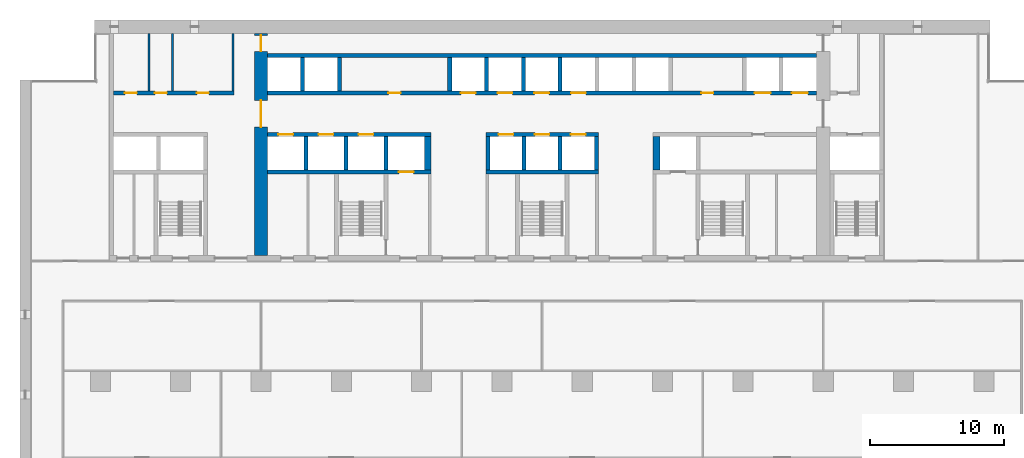
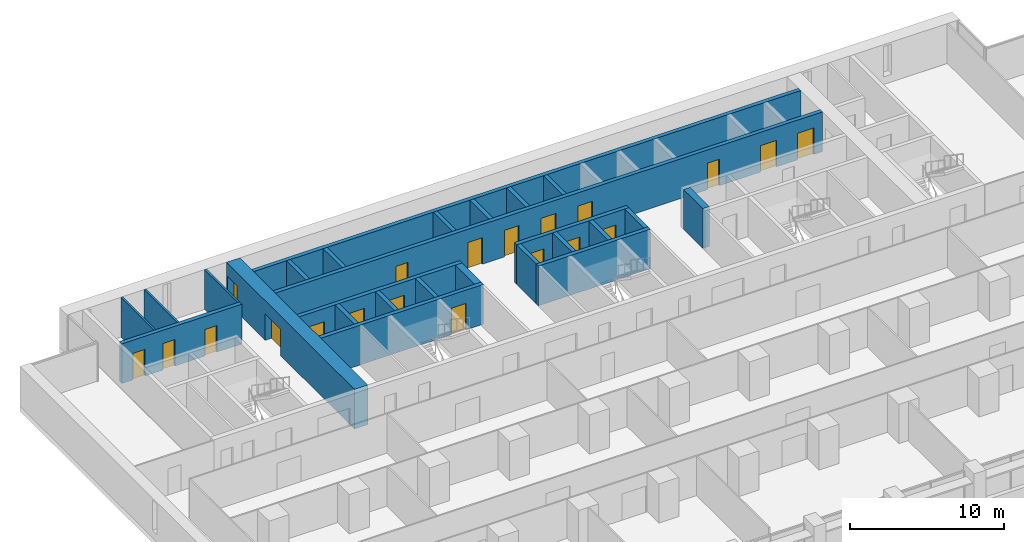
# One storey, part 11 of 18: 26 walls, 20 doors, 20 openings.
"""IFC4 building model written with IfcOpenShell, lengths in metres."""

from ifc_helpers import new_model, si_unit, direction, frame, frame_2d, origin, place, context, subcontext, project, spatial, rectangle, extrude, material, layer, layer_set, type_object, element, fill, save


model = new_model("IFC4")

# Units and contexts
model_context = context("Model", 3, precision=1e-05, world=origin(), true_north=direction((0.0, 1.0)))
body_context = subcontext(model_context, "Body", "Model", "MODEL_VIEW")
ifc_project = project(units=[si_unit("LENGTHUNIT", "METRE"), si_unit("AREAUNIT", "SQUARE_METRE"), si_unit("VOLUMEUNIT", "CUBIC_METRE"), si_unit("PLANEANGLEUNIT", "RADIAN"), si_unit("MASSUNIT", "GRAM", prefix="KILO")], contexts=[model_context])

# Site, building, storey
site_placement = place(None, origin())
site = spatial("IfcSite", under=ifc_project, at=site_placement, CompositionType="ELEMENT")
building_placement = place(site_placement, origin())
building = spatial("IfcBuilding", under=site, at=building_placement, Name="Calvaro Tower", CompositionType="ELEMENT")
storey_placement = place(building_placement, frame((0.0, 0.0, 86.25)))
storey = spatial("IfcBuildingStorey", under=building, at=storey_placement, Name="L21", CompositionType="ELEMENT", Elevation=86.25)

# Walls
ifc_material_1 = material(Name="Blockwork partition", Category="masonry")
ifc_layer_1 = layer(ifc_material_1, 0.14990234375)
ifc_layer_set_1 = layer_set([ifc_layer_1], Name="Blockwork partition")
wall_type_1 = type_object("IfcWallType", Name="Core partition 150 EI 60", PredefinedType="PARTITIONING", material=ifc_layer_set_1)
for number, where, z_axis, x_axis, name in (
    (1, (9.64990234375, 40.699951171875, 0.0), (0.0, 0.0, 1.0), (0.0, 1.0, 0.0), "Core partition"),
    (2, (11.39990234375, 40.699951171875, 0.0), (0.0, 0.0, 1.0), (0.0, 1.0, 0.0), "Core partition"),
):
    element("IfcWall", number, at=place(storey_placement, frame(where, z_axis=z_axis, x_axis=x_axis)), inside=storey, type_object=wall_type_1, Name=name, PredefinedType="PARTITIONING", context=body_context, shape_type="SweptSolid", body=[
        extrude(rectangle(XDim=4.300048828125, YDim=0.14990234375, at=frame_2d((2.14990234375, 0.0))), origin(), (0.0, 0.0, 1.0), 3.14990234375),
    ])
ifc_material_2 = material(Name="Blockwork partition", Category="masonry")
ifc_layer_2 = layer(ifc_material_2, 0.14990234375)
ifc_layer_set_2 = layer_set([ifc_layer_2], Name="Blockwork partition")
wall_type_2 = type_object("IfcWallType", Name="Core partition 150 REI 120", PredefinedType="PARTITIONING", material=ifc_layer_set_2)
wall_1_placement = place(storey_placement, frame((15.925048828125, 40.699951171875, 0.0), z_axis=(0.0, 0.0, 1.0), x_axis=(0.0, 1.0, 0.0)))
element("IfcWall", 3, at=wall_1_placement, inside=storey, type_object=wall_type_2, Name="Core partition", PredefinedType="PARTITIONING", context=body_context, shape_type="SweptSolid", body=[
    extrude(rectangle(XDim=4.300048828125, YDim=0.14990234375, at=frame_2d((2.14990234375, 0.0))), origin(), (0.0, 0.0, 1.0), 3.14990234375),
])

# Wall, openings, doors
ifc_material_3 = material(Name="Blockwork partition", Category="masonry")
ifc_layer_3 = layer(ifc_material_3, 0.300048828125)
ifc_layer_set_3 = layer_set([ifc_layer_3], Name="Blockwork partition")
wall_type_3 = type_object("IfcWallType", Name="Core partition 300 REI 120", PredefinedType="PARTITIONING", material=ifc_layer_set_3)
wall_2_placement = place(storey_placement, frame((7.0, 40.550048828125, 0.0), z_axis=(0.0, 0.0, 1.0), x_axis=(1.0, 0.0, 0.0)))
wall_2 = element("IfcWall", 4, at=wall_2_placement, inside=storey, type_object=wall_type_3, Name="Core partition", PredefinedType="PARTITIONING", context=body_context, shape_type="SweptSolid", body=[
    extrude(rectangle(XDim=9.0, YDim=0.300048828125, at=frame_2d((4.5, 0.0))), origin(), (0.0, 0.0, 1.0), 3.14990234375),
])
opening_1_placement = place(wall_2_placement, frame((0.83740234375, 0.0, 0.0)))
opening_1 = element("IfcOpeningElement", 5, at=opening_1_placement, cuts=wall_2, Name="Opening RD9", PredefinedType="OPENING", context=body_context, shape_type="SweptSolid", body=[
    extrude(rectangle(XDim=0.89990234375, YDim=2.10009765625, at=frame_2d((0.449951171875, 1.050048828125))), frame((0.0, 0.159912109375, 0.0), z_axis=(0.0, -1.0, 0.0), x_axis=(1.0, 0.0, 0.0)), (0.0, 0.0, 1.0), 0.320068359375),
])
opening_2_placement = place(wall_2_placement, frame((3.074951171875, 0.0, 0.0)))
opening_2 = element("IfcOpeningElement", 6, at=opening_2_placement, cuts=wall_2, Name="Opening RD9", PredefinedType="OPENING", context=body_context, shape_type="SweptSolid", body=[
    extrude(rectangle(XDim=0.89990234375, YDim=2.10009765625, at=frame_2d((0.449951171875, 1.050048828125))), frame((0.0, 0.159912109375, 0.0), z_axis=(0.0, -1.0, 0.0), x_axis=(1.0, 0.0, 0.0)), (0.0, 0.0, 1.0), 0.320068359375),
])
opening_3_placement = place(wall_2_placement, frame((6.21240234375, 0.0, 0.0)))
opening_3 = element("IfcOpeningElement", 7, at=opening_3_placement, cuts=wall_2, Name="Opening RD9", PredefinedType="OPENING", context=body_context, shape_type="SweptSolid", body=[
    extrude(rectangle(XDim=0.89990234375, YDim=2.10009765625, at=frame_2d((0.449951171875, 1.050048828125))), frame((0.0, 0.159912109375, 0.0), z_axis=(0.0, -1.0, 0.0), x_axis=(1.0, 0.0, 0.0)), (0.0, 0.0, 1.0), 0.320068359375),
])
ifc_material_4 = material(Name="Steel door set", Category="steel")
door_type_1 = type_object("IfcDoorType", Name="Room door 900", OperationType="SINGLE_SWING_LEFT", PredefinedType="DOOR", material=ifc_material_4)
door_1_placement = place(opening_1_placement, origin())
door_1 = element("IfcDoor", 8, at=door_1_placement, inside=storey, type_object=door_type_1, Name="Room door", OperationType="SINGLE_SWING_LEFT", OverallHeight=2.10009765625, OverallWidth=0.89990234375, PredefinedType="DOOR", context=body_context, shape_type="SweptSolid", body=[
    extrude(rectangle(XDim=0.89990234375, YDim=2.10009765625, at=frame_2d((0.449951171875, 1.050048828125))), frame((0.0, 0.02490234375, 0.0), z_axis=(0.0, -1.0, 0.0), x_axis=(1.0, 0.0, 0.0)), (0.0, 0.0, 1.0), 0.050048828125),
])
fill(opening_1, door_1)
door_2_placement = place(opening_2_placement, origin())
door_2 = element("IfcDoor", 9, at=door_2_placement, inside=storey, type_object=door_type_1, Name="Room door", OperationType="SINGLE_SWING_RIGHT", OverallHeight=2.10009765625, OverallWidth=0.89990234375, PredefinedType="DOOR", context=body_context, shape_type="SweptSolid", body=[
    extrude(rectangle(XDim=0.89990234375, YDim=2.10009765625, at=frame_2d((0.449951171875, 1.050048828125))), frame((0.0, 0.02490234375, 0.0), z_axis=(0.0, -1.0, 0.0), x_axis=(1.0, 0.0, 0.0)), (0.0, 0.0, 1.0), 0.050048828125),
])
fill(opening_2, door_2)
door_3_placement = place(opening_3_placement, origin())
door_3 = element("IfcDoor", 10, at=door_3_placement, inside=storey, type_object=door_type_1, Name="Room door", OperationType="SINGLE_SWING_LEFT", OverallHeight=2.10009765625, OverallWidth=0.89990234375, PredefinedType="DOOR", context=body_context, shape_type="SweptSolid", body=[
    extrude(rectangle(XDim=0.89990234375, YDim=2.10009765625, at=frame_2d((0.449951171875, 1.050048828125))), frame((0.0, 0.02490234375, 0.0), z_axis=(0.0, -1.0, 0.0), x_axis=(1.0, 0.0, 0.0)), (0.0, 0.0, 1.0), 0.050048828125),
])
fill(opening_3, door_3)

ifc_material_5 = material(Name="Concrete C80/95", Category="concrete")
ifc_layer_4 = layer(ifc_material_5, 1.0)
ifc_layer_set_4 = layer_set([ifc_layer_4], Name="Concrete C80/95")
wall_type_4 = type_object("IfcWallType", Name="Core wall C80/95 1000", PredefinedType="SHEAR", material=ifc_layer_set_4)
wall_3_placement = place(storey_placement, frame((18.0, 28.39990234375, 0.0), z_axis=(0.0, 0.0, 1.0), x_axis=(0.0, 1.0, 0.0)))
wall_3 = element("IfcWall", 11, at=wall_3_placement, inside=storey, type_object=wall_type_4, Name="Core wall, cross shear wall", PredefinedType="SHEAR", context=body_context, shape_type="SweptSolid", body=[
    extrude(rectangle(XDim=16.60009765625, YDim=1.0, at=frame_2d((8.300048828125, 0.0))), origin(), (0.0, 0.0, 1.0), 3.14990234375),
])
opening_4_placement = place(wall_3_placement, frame((9.60009765625, 0.0, 0.0)))
opening_4 = element("IfcOpeningElement", 12, at=opening_4_placement, cuts=wall_3, Name="Opening DD20D", PredefinedType="OPENING", context=body_context, shape_type="SweptSolid", body=[
    extrude(rectangle(XDim=2.0, YDim=2.10009765625, at=frame_2d((1.0, 1.050048828125))), frame((0.0, 0.510009765625, 0.0), z_axis=(0.0, -1.0, 0.0), x_axis=(1.0, 0.0, 0.0)), (0.0, 0.0, 1.0), 1.02001953125),
])
opening_5_placement = place(wall_3_placement, frame((15.25, 0.0, 0.0)))
opening_5 = element("IfcOpeningElement", 13, at=opening_5_placement, cuts=wall_3, Name="Opening FD12C", PredefinedType="OPENING", context=body_context, shape_type="SweptSolid", body=[
    extrude(rectangle(XDim=1.199951171875, YDim=2.10009765625, at=frame_2d((0.60009765625, 1.050048828125))), frame((0.0, 0.510009765625, 0.0), z_axis=(0.0, -1.0, 0.0), x_axis=(1.0, 0.0, 0.0)), (0.0, 0.0, 1.0), 1.02001953125),
])
ifc_material_6 = material(Name="Steel door set", Category="steel")
door_type_2 = type_object("IfcDoorType", Name="Fire door 1200 FD30", OperationType="SINGLE_SWING_LEFT", PredefinedType="DOOR", material=ifc_material_6)
door_4_placement = place(opening_5_placement, origin())
door_4 = element("IfcDoor", 14, at=door_4_placement, inside=storey, type_object=door_type_2, Name="Fire door", OperationType="SINGLE_SWING_LEFT", OverallHeight=2.10009765625, OverallWidth=1.199951171875, PredefinedType="DOOR", context=body_context, shape_type="SweptSolid", body=[
    extrude(rectangle(XDim=1.199951171875, YDim=2.10009765625, at=frame_2d((0.60009765625, 1.050048828125))), frame((0.0, 0.02490234375, 0.0), z_axis=(0.0, -1.0, 0.0), x_axis=(1.0, 0.0, 0.0)), (0.0, 0.0, 1.0), 0.050048828125),
])
fill(opening_5, door_4)
ifc_material_7 = material(Name="Steel door set", Category="steel")
door_type_3 = type_object("IfcDoorType", Name="Lobby double door 2000 FD30S", OperationType="DOUBLE_DOOR_SINGLE_SWING", PredefinedType="DOOR", material=ifc_material_7)
door_5_placement = place(opening_4_placement, origin())
door_5 = element("IfcDoor", 15, at=door_5_placement, inside=storey, type_object=door_type_3, Name="Lobby double door", OperationType="DOUBLE_DOOR_SINGLE_SWING", OverallHeight=2.10009765625, OverallWidth=2.0, PredefinedType="DOOR", context=body_context, shape_type="SweptSolid", body=[
    extrude(rectangle(XDim=2.0, YDim=2.10009765625, at=frame_2d((1.0, 1.050048828125))), frame((0.0, 0.02490234375, 0.0), z_axis=(0.0, -1.0, 0.0), x_axis=(1.0, 0.0, 0.0)), (0.0, 0.0, 1.0), 0.050048828125),
])
fill(opening_4, door_5)

# Wall, opening, door
ifc_material_8 = material(Name="Concrete C80/95", Category="concrete")
ifc_layer_5 = layer(ifc_material_8, 0.300048828125)
ifc_layer_set_5 = layer_set([ifc_layer_5], Name="Concrete C80/95")
wall_type_5 = type_object("IfcWallType", Name="Core wall C80/95 300", PredefinedType="SHEAR", material=ifc_layer_set_5)
wall_4_placement = place(storey_placement, frame((18.5, 34.64990234375, 0.0), z_axis=(0.0, 0.0, 1.0), x_axis=(1.0, 0.0, 0.0)))
wall_4 = element("IfcWall", 16, at=wall_4_placement, inside=storey, type_object=wall_type_5, Name="Core wall, lift shaft", PredefinedType="SHEAR", context=body_context, shape_type="SweptSolid", body=[
    extrude(rectangle(XDim=12.199951171875, YDim=0.300048828125, at=frame_2d((6.10009765625, 0.0))), origin(), (0.0, 0.0, 1.0), 3.14990234375),
])
opening_6_placement = place(wall_4_placement, frame((9.800048828125, 0.0, 0.0)))
opening_6 = element("IfcOpeningElement", 17, at=opening_6_placement, cuts=wall_4, Name="Opening FF1", PredefinedType="OPENING", context=body_context, shape_type="SweptSolid", body=[
    extrude(rectangle(XDim=1.10009765625, YDim=2.10009765625, at=frame_2d((0.550048828125, 1.050048828125))), frame((0.0, 0.159912109375, 0.0), z_axis=(0.0, -1.0, 0.0), x_axis=(1.0, 0.0, 0.0)), (0.0, 0.0, 1.0), 0.320068359375),
])
ifc_material_9 = material(Name="Stainless steel", Category="steel")
door_type_4 = type_object("IfcDoorType", Name="Landing door 1100 E 60", OperationType="SLIDING_TO_LEFT", PredefinedType="DOOR", material=ifc_material_9)
door_6_placement = place(opening_6_placement, origin())
door_6 = element("IfcDoor", 18, at=door_6_placement, inside=storey, type_object=door_type_4, Name="Landing door FF1", OperationType="SLIDING_TO_LEFT", OverallHeight=2.10009765625, OverallWidth=1.10009765625, PredefinedType="DOOR", context=body_context, shape_type="SweptSolid", body=[
    extrude(rectangle(XDim=1.10009765625, YDim=2.10009765625, at=frame_2d((0.550048828125, 1.050048828125))), frame((0.0, 0.02490234375, 0.0), z_axis=(0.0, -1.0, 0.0), x_axis=(1.0, 0.0, 0.0)), (0.0, 0.0, 1.0), 0.050048828125),
])
fill(opening_6, door_6)

# Wall
wall_5_placement = place(storey_placement, frame((34.800048828125, 34.64990234375, 0.0), z_axis=(0.0, 0.0, 1.0), x_axis=(1.0, 0.0, 0.0)))
element("IfcWall", 19, at=wall_5_placement, inside=storey, type_object=wall_type_5, Name="Core wall, lift shaft", PredefinedType="SHEAR", context=body_context, shape_type="SweptSolid", body=[
    extrude(rectangle(XDim=8.39990234375, YDim=0.300048828125, at=frame_2d((4.199951171875, 0.0))), origin(), (0.0, 0.0, 1.0), 3.14990234375),
])

# Wall, openings, doors
wall_6_placement = place(storey_placement, frame((18.5, 37.449951171875, 0.0), z_axis=(0.0, 0.0, 1.0), x_axis=(1.0, 0.0, 0.0)))
wall_6 = element("IfcWall", 20, at=wall_6_placement, inside=storey, type_object=wall_type_5, Name="Core wall, lift shaft", PredefinedType="SHEAR", context=body_context, shape_type="SweptSolid", body=[
    extrude(rectangle(XDim=12.199951171875, YDim=0.300048828125, at=frame_2d((6.10009765625, 0.0))), origin(), (0.0, 0.0, 1.0), 3.14990234375),
])
opening_7_placement = place(wall_6_placement, frame((0.800048828125, 0.0, 0.0)))
opening_7 = element("IfcOpeningElement", 21, at=opening_7_placement, cuts=wall_6, Name="Opening LR1", PredefinedType="OPENING", context=body_context, shape_type="SweptSolid", body=[
    extrude(rectangle(XDim=1.10009765625, YDim=2.10009765625, at=frame_2d((0.550048828125, 1.050048828125))), frame((0.0, 0.159912109375, 0.0), z_axis=(0.0, -1.0, 0.0), x_axis=(1.0, 0.0, 0.0)), (0.0, 0.0, 1.0), 0.320068359375),
])
opening_8_placement = place(wall_6_placement, frame((3.800048828125, 0.0, 0.0)))
opening_8 = element("IfcOpeningElement", 22, at=opening_8_placement, cuts=wall_6, Name="Opening LR2", PredefinedType="OPENING", context=body_context, shape_type="SweptSolid", body=[
    extrude(rectangle(XDim=1.10009765625, YDim=2.10009765625, at=frame_2d((0.550048828125, 1.050048828125))), frame((0.0, 0.159912109375, 0.0), z_axis=(0.0, -1.0, 0.0), x_axis=(1.0, 0.0, 0.0)), (0.0, 0.0, 1.0), 0.320068359375),
])
opening_9_placement = place(wall_6_placement, frame((6.800048828125, 0.0, 0.0)))
opening_9 = element("IfcOpeningElement", 23, at=opening_9_placement, cuts=wall_6, Name="Opening LR3", PredefinedType="OPENING", context=body_context, shape_type="SweptSolid", body=[
    extrude(rectangle(XDim=1.10009765625, YDim=2.10009765625, at=frame_2d((0.550048828125, 1.050048828125))), frame((0.0, 0.159912109375, 0.0), z_axis=(0.0, -1.0, 0.0), x_axis=(1.0, 0.0, 0.0)), (0.0, 0.0, 1.0), 0.320068359375),
])
door_7_placement = place(opening_7_placement, origin())
door_7 = element("IfcDoor", 24, at=door_7_placement, inside=storey, type_object=door_type_4, Name="Landing door LR1", OperationType="SLIDING_TO_LEFT", OverallHeight=2.10009765625, OverallWidth=1.10009765625, PredefinedType="DOOR", context=body_context, shape_type="SweptSolid", body=[
    extrude(rectangle(XDim=1.10009765625, YDim=2.10009765625, at=frame_2d((0.550048828125, 1.050048828125))), frame((0.0, 0.02490234375, 0.0), z_axis=(0.0, -1.0, 0.0), x_axis=(1.0, 0.0, 0.0)), (0.0, 0.0, 1.0), 0.050048828125),
])
fill(opening_7, door_7)
door_8_placement = place(opening_8_placement, origin())
door_8 = element("IfcDoor", 25, at=door_8_placement, inside=storey, type_object=door_type_4, Name="Landing door LR2", OperationType="SLIDING_TO_LEFT", OverallHeight=2.10009765625, OverallWidth=1.10009765625, PredefinedType="DOOR", context=body_context, shape_type="SweptSolid", body=[
    extrude(rectangle(XDim=1.10009765625, YDim=2.10009765625, at=frame_2d((0.550048828125, 1.050048828125))), frame((0.0, 0.02490234375, 0.0), z_axis=(0.0, -1.0, 0.0), x_axis=(1.0, 0.0, 0.0)), (0.0, 0.0, 1.0), 0.050048828125),
])
fill(opening_8, door_8)
door_9_placement = place(opening_9_placement, origin())
door_9 = element("IfcDoor", 26, at=door_9_placement, inside=storey, type_object=door_type_4, Name="Landing door LR3", OperationType="SLIDING_TO_LEFT", OverallHeight=2.10009765625, OverallWidth=1.10009765625, PredefinedType="DOOR", context=body_context, shape_type="SweptSolid", body=[
    extrude(rectangle(XDim=1.10009765625, YDim=2.10009765625, at=frame_2d((0.550048828125, 1.050048828125))), frame((0.0, 0.02490234375, 0.0), z_axis=(0.0, -1.0, 0.0), x_axis=(1.0, 0.0, 0.0)), (0.0, 0.0, 1.0), 0.050048828125),
])
fill(opening_9, door_9)

wall_7_placement = place(storey_placement, frame((34.800048828125, 37.449951171875, 0.0), z_axis=(0.0, 0.0, 1.0), x_axis=(1.0, 0.0, 0.0)))
wall_7 = element("IfcWall", 27, at=wall_7_placement, inside=storey, type_object=wall_type_5, Name="Core wall, lift shaft", PredefinedType="SHEAR", context=body_context, shape_type="SweptSolid", body=[
    extrude(rectangle(XDim=8.39990234375, YDim=0.300048828125, at=frame_2d((4.199951171875, 0.0))), origin(), (0.0, 0.0, 1.0), 3.14990234375),
])
opening_10_placement = place(wall_7_placement, frame((0.949951171875, 0.0, 0.0)))
opening_10 = element("IfcOpeningElement", 28, at=opening_10_placement, cuts=wall_7, Name="Opening LR4", PredefinedType="OPENING", context=body_context, shape_type="SweptSolid", body=[
    extrude(rectangle(XDim=1.10009765625, YDim=2.10009765625, at=frame_2d((0.550048828125, 1.050048828125))), frame((0.0, 0.159912109375, 0.0), z_axis=(0.0, -1.0, 0.0), x_axis=(1.0, 0.0, 0.0)), (0.0, 0.0, 1.0), 0.320068359375),
])
opening_11_placement = place(wall_7_placement, frame((3.64990234375, 0.0, 0.0)))
opening_11 = element("IfcOpeningElement", 29, at=opening_11_placement, cuts=wall_7, Name="Opening LR5", PredefinedType="OPENING", context=body_context, shape_type="SweptSolid", body=[
    extrude(rectangle(XDim=1.10009765625, YDim=2.10009765625, at=frame_2d((0.550048828125, 1.050048828125))), frame((0.0, 0.159912109375, 0.0), z_axis=(0.0, -1.0, 0.0), x_axis=(1.0, 0.0, 0.0)), (0.0, 0.0, 1.0), 0.320068359375),
])
opening_12_placement = place(wall_7_placement, frame((6.35009765625, 0.0, 0.0)))
opening_12 = element("IfcOpeningElement", 30, at=opening_12_placement, cuts=wall_7, Name="Opening LR6", PredefinedType="OPENING", context=body_context, shape_type="SweptSolid", body=[
    extrude(rectangle(XDim=1.10009765625, YDim=2.10009765625, at=frame_2d((0.550048828125, 1.050048828125))), frame((0.0, 0.159912109375, 0.0), z_axis=(0.0, -1.0, 0.0), x_axis=(1.0, 0.0, 0.0)), (0.0, 0.0, 1.0), 0.320068359375),
])
door_10_placement = place(opening_10_placement, origin())
door_10 = element("IfcDoor", 31, at=door_10_placement, inside=storey, type_object=door_type_4, Name="Landing door LR4", OperationType="SLIDING_TO_LEFT", OverallHeight=2.10009765625, OverallWidth=1.10009765625, PredefinedType="DOOR", context=body_context, shape_type="SweptSolid", body=[
    extrude(rectangle(XDim=1.10009765625, YDim=2.10009765625, at=frame_2d((0.550048828125, 1.050048828125))), frame((0.0, 0.02490234375, 0.0), z_axis=(0.0, -1.0, 0.0), x_axis=(1.0, 0.0, 0.0)), (0.0, 0.0, 1.0), 0.050048828125),
])
fill(opening_10, door_10)
door_11_placement = place(opening_11_placement, origin())
door_11 = element("IfcDoor", 32, at=door_11_placement, inside=storey, type_object=door_type_4, Name="Landing door LR5", OperationType="SLIDING_TO_LEFT", OverallHeight=2.10009765625, OverallWidth=1.10009765625, PredefinedType="DOOR", context=body_context, shape_type="SweptSolid", body=[
    extrude(rectangle(XDim=1.10009765625, YDim=2.10009765625, at=frame_2d((0.550048828125, 1.050048828125))), frame((0.0, 0.02490234375, 0.0), z_axis=(0.0, -1.0, 0.0), x_axis=(1.0, 0.0, 0.0)), (0.0, 0.0, 1.0), 0.050048828125),
])
fill(opening_11, door_11)
door_12_placement = place(opening_12_placement, origin())
door_12 = element("IfcDoor", 33, at=door_12_placement, inside=storey, type_object=door_type_4, Name="Landing door LR6", OperationType="SLIDING_TO_LEFT", OverallHeight=2.10009765625, OverallWidth=1.10009765625, PredefinedType="DOOR", context=body_context, shape_type="SweptSolid", body=[
    extrude(rectangle(XDim=1.10009765625, YDim=2.10009765625, at=frame_2d((0.550048828125, 1.050048828125))), frame((0.0, 0.02490234375, 0.0), z_axis=(0.0, -1.0, 0.0), x_axis=(1.0, 0.0, 0.0)), (0.0, 0.0, 1.0), 0.050048828125),
])
fill(opening_12, door_12)

# Walls
for number, where, z_axis, x_axis, name in (
    (34, (27.35009765625, 34.800048828125, 0.0), (0.0, 0.0, 1.0), (0.0, 1.0, 0.0), "Core wall, lift shaft"),
    (35, (34.949951171875, 34.800048828125, 0.0), (0.0, 0.0, 1.0), (0.0, 1.0, 0.0), "Core wall, lift shaft"),
    (36, (43.050048828125, 34.800048828125, 0.0), (0.0, 0.0, 1.0), (0.0, 1.0, 0.0), "Core wall, lift shaft"),
):
    element("IfcWall", number, at=place(storey_placement, frame(where, z_axis=z_axis, x_axis=x_axis)), inside=storey, type_object=wall_type_5, Name=name, PredefinedType="SHEAR", context=body_context, shape_type="SweptSolid", body=[
        extrude(rectangle(XDim=2.5, YDim=0.300048828125, at=frame_2d((1.25, 0.0))), origin(), (0.0, 0.0, 1.0), 3.14990234375),
    ])

# Wall, openings, doors
wall_8_placement = place(storey_placement, frame((18.5, 40.550048828125, 0.0), z_axis=(0.0, 0.0, 1.0), x_axis=(1.0, 0.0, 0.0)))
wall_8 = element("IfcWall", 37, at=wall_8_placement, inside=storey, type_object=wall_type_5, Name="Core wall, bay", PredefinedType="SHEAR", context=body_context, shape_type="SweptSolid", body=[
    extrude(rectangle(XDim=41.0, YDim=0.300048828125, at=frame_2d((20.5, 0.0))), origin(), (0.0, 0.0, 1.0), 3.14990234375),
])
opening_13_placement = place(wall_8_placement, frame((9.02490234375, 0.0, 0.0)))
opening_13 = element("IfcOpeningElement", 38, at=opening_13_placement, cuts=wall_8, Name="Opening RD9E", PredefinedType="OPENING", context=body_context, shape_type="SweptSolid", body=[
    extrude(rectangle(XDim=0.89990234375, YDim=2.10009765625, at=frame_2d((0.449951171875, 1.050048828125))), frame((0.0, 0.159912109375, 0.0), z_axis=(0.0, -1.0, 0.0), x_axis=(1.0, 0.0, 0.0)), (0.0, 0.0, 1.0), 0.320068359375),
])
opening_14_placement = place(wall_8_placement, frame((32.39990234375, 0.0, 0.0)))
opening_14 = element("IfcOpeningElement", 39, at=opening_14_placement, cuts=wall_8, Name="Opening RD9E", PredefinedType="OPENING", context=body_context, shape_type="SweptSolid", body=[
    extrude(rectangle(XDim=0.89990234375, YDim=2.10009765625, at=frame_2d((0.449951171875, 1.050048828125))), frame((0.0, 0.159912109375, 0.0), z_axis=(0.0, -1.0, 0.0), x_axis=(1.0, 0.0, 0.0)), (0.0, 0.0, 1.0), 0.320068359375),
])
opening_15_placement = place(wall_8_placement, frame((14.425048828125, 0.0, 0.0)))
opening_15 = element("IfcOpeningElement", 40, at=opening_15_placement, cuts=wall_8, Name="Opening LR7", PredefinedType="OPENING", context=body_context, shape_type="SweptSolid", body=[
    extrude(rectangle(XDim=1.10009765625, YDim=2.10009765625, at=frame_2d((0.550048828125, 1.050048828125))), frame((0.0, 0.159912109375, 0.0), z_axis=(0.0, -1.0, 0.0), x_axis=(1.0, 0.0, 0.0)), (0.0, 0.0, 1.0), 0.320068359375),
])
opening_16_placement = place(wall_8_placement, frame((17.175048828125, 0.0, 0.0)))
opening_16 = element("IfcOpeningElement", 41, at=opening_16_placement, cuts=wall_8, Name="Opening LR8", PredefinedType="OPENING", context=body_context, shape_type="SweptSolid", body=[
    extrude(rectangle(XDim=1.10009765625, YDim=2.10009765625, at=frame_2d((0.550048828125, 1.050048828125))), frame((0.0, 0.159912109375, 0.0), z_axis=(0.0, -1.0, 0.0), x_axis=(1.0, 0.0, 0.0)), (0.0, 0.0, 1.0), 0.320068359375),
])
opening_17_placement = place(wall_8_placement, frame((19.925048828125, 0.0, 0.0)))
opening_17 = element("IfcOpeningElement", 42, at=opening_17_placement, cuts=wall_8, Name="Opening LR9", PredefinedType="OPENING", context=body_context, shape_type="SweptSolid", body=[
    extrude(rectangle(XDim=1.10009765625, YDim=2.10009765625, at=frame_2d((0.550048828125, 1.050048828125))), frame((0.0, 0.159912109375, 0.0), z_axis=(0.0, -1.0, 0.0), x_axis=(1.0, 0.0, 0.0)), (0.0, 0.0, 1.0), 0.320068359375),
])
opening_18_placement = place(wall_8_placement, frame((22.675048828125, 0.0, 0.0)))
opening_18 = element("IfcOpeningElement", 43, at=opening_18_placement, cuts=wall_8, Name="Opening LR10", PredefinedType="OPENING", context=body_context, shape_type="SweptSolid", body=[
    extrude(rectangle(XDim=1.10009765625, YDim=2.10009765625, at=frame_2d((0.550048828125, 1.050048828125))), frame((0.0, 0.159912109375, 0.0), z_axis=(0.0, -1.0, 0.0), x_axis=(1.0, 0.0, 0.0)), (0.0, 0.0, 1.0), 0.320068359375),
])
opening_19_placement = place(wall_8_placement, frame((36.375, 0.0, 0.0)))
opening_19 = element("IfcOpeningElement", 44, at=opening_19_placement, cuts=wall_8, Name="Opening SV1", PredefinedType="OPENING", context=body_context, shape_type="SweptSolid", body=[
    extrude(rectangle(XDim=1.199951171875, YDim=2.10009765625, at=frame_2d((0.60009765625, 1.050048828125))), frame((0.0, 0.159912109375, 0.0), z_axis=(0.0, -1.0, 0.0), x_axis=(1.0, 0.0, 0.0)), (0.0, 0.0, 1.0), 0.320068359375),
])
opening_20_placement = place(wall_8_placement, frame((39.14990234375, 0.0, 0.0)))
opening_20 = element("IfcOpeningElement", 45, at=opening_20_placement, cuts=wall_8, Name="Opening SV2", PredefinedType="OPENING", context=body_context, shape_type="SweptSolid", body=[
    extrude(rectangle(XDim=1.199951171875, YDim=2.10009765625, at=frame_2d((0.60009765625, 1.050048828125))), frame((0.0, 0.159912109375, 0.0), z_axis=(0.0, -1.0, 0.0), x_axis=(1.0, 0.0, 0.0)), (0.0, 0.0, 1.0), 0.320068359375),
])
door_13_placement = place(opening_15_placement, origin())
door_13 = element("IfcDoor", 46, at=door_13_placement, inside=storey, type_object=door_type_4, Name="Landing door LR7", OperationType="SLIDING_TO_LEFT", OverallHeight=2.10009765625, OverallWidth=1.10009765625, PredefinedType="DOOR", context=body_context, shape_type="SweptSolid", body=[
    extrude(rectangle(XDim=1.10009765625, YDim=2.10009765625, at=frame_2d((0.550048828125, 1.050048828125))), frame((0.0, 0.02490234375, 0.0), z_axis=(0.0, -1.0, 0.0), x_axis=(1.0, 0.0, 0.0)), (0.0, 0.0, 1.0), 0.050048828125),
])
fill(opening_15, door_13)
door_14_placement = place(opening_16_placement, origin())
door_14 = element("IfcDoor", 47, at=door_14_placement, inside=storey, type_object=door_type_4, Name="Landing door LR8", OperationType="SLIDING_TO_LEFT", OverallHeight=2.10009765625, OverallWidth=1.10009765625, PredefinedType="DOOR", context=body_context, shape_type="SweptSolid", body=[
    extrude(rectangle(XDim=1.10009765625, YDim=2.10009765625, at=frame_2d((0.550048828125, 1.050048828125))), frame((0.0, 0.02490234375, 0.0), z_axis=(0.0, -1.0, 0.0), x_axis=(1.0, 0.0, 0.0)), (0.0, 0.0, 1.0), 0.050048828125),
])
fill(opening_16, door_14)
door_15_placement = place(opening_17_placement, origin())
door_15 = element("IfcDoor", 48, at=door_15_placement, inside=storey, type_object=door_type_4, Name="Landing door LR9", OperationType="SLIDING_TO_LEFT", OverallHeight=2.10009765625, OverallWidth=1.10009765625, PredefinedType="DOOR", context=body_context, shape_type="SweptSolid", body=[
    extrude(rectangle(XDim=1.10009765625, YDim=2.10009765625, at=frame_2d((0.550048828125, 1.050048828125))), frame((0.0, 0.02490234375, 0.0), z_axis=(0.0, -1.0, 0.0), x_axis=(1.0, 0.0, 0.0)), (0.0, 0.0, 1.0), 0.050048828125),
])
fill(opening_17, door_15)
door_16_placement = place(opening_18_placement, origin())
door_16 = element("IfcDoor", 49, at=door_16_placement, inside=storey, type_object=door_type_4, Name="Landing door LR10", OperationType="SLIDING_TO_LEFT", OverallHeight=2.10009765625, OverallWidth=1.10009765625, PredefinedType="DOOR", context=body_context, shape_type="SweptSolid", body=[
    extrude(rectangle(XDim=1.10009765625, YDim=2.10009765625, at=frame_2d((0.550048828125, 1.050048828125))), frame((0.0, 0.02490234375, 0.0), z_axis=(0.0, -1.0, 0.0), x_axis=(1.0, 0.0, 0.0)), (0.0, 0.0, 1.0), 0.050048828125),
])
fill(opening_18, door_16)
ifc_material_10 = material(Name="Stainless steel", Category="steel")
door_type_5 = type_object("IfcDoorType", Name="Landing door 1200 E 60", OperationType="SLIDING_TO_LEFT", PredefinedType="DOOR", material=ifc_material_10)
door_17_placement = place(opening_19_placement, origin())
door_17 = element("IfcDoor", 50, at=door_17_placement, inside=storey, type_object=door_type_5, Name="Landing door SV1", OperationType="SLIDING_TO_LEFT", OverallHeight=2.10009765625, OverallWidth=1.199951171875, PredefinedType="DOOR", context=body_context, shape_type="SweptSolid", body=[
    extrude(rectangle(XDim=1.199951171875, YDim=2.10009765625, at=frame_2d((0.60009765625, 1.050048828125))), frame((0.0, 0.02490234375, 0.0), z_axis=(0.0, -1.0, 0.0), x_axis=(1.0, 0.0, 0.0)), (0.0, 0.0, 1.0), 0.050048828125),
])
fill(opening_19, door_17)
door_18_placement = place(opening_20_placement, origin())
door_18 = element("IfcDoor", 51, at=door_18_placement, inside=storey, type_object=door_type_5, Name="Landing door SV2", OperationType="SLIDING_TO_LEFT", OverallHeight=2.10009765625, OverallWidth=1.199951171875, PredefinedType="DOOR", context=body_context, shape_type="SweptSolid", body=[
    extrude(rectangle(XDim=1.199951171875, YDim=2.10009765625, at=frame_2d((0.60009765625, 1.050048828125))), frame((0.0, 0.02490234375, 0.0), z_axis=(0.0, -1.0, 0.0), x_axis=(1.0, 0.0, 0.0)), (0.0, 0.0, 1.0), 0.050048828125),
])
fill(opening_20, door_18)
ifc_material_11 = material(Name="Steel door set", Category="steel")
door_type_6 = type_object("IfcDoorType", Name="Room door 900 FD60", OperationType="SINGLE_SWING_LEFT", PredefinedType="DOOR", material=ifc_material_11)
door_19_placement = place(opening_13_placement, origin())
door_19 = element("IfcDoor", 52, at=door_19_placement, inside=storey, type_object=door_type_6, Name="Room door", OperationType="SINGLE_SWING_RIGHT", OverallHeight=2.10009765625, OverallWidth=0.89990234375, PredefinedType="DOOR", context=body_context, shape_type="SweptSolid", body=[
    extrude(rectangle(XDim=0.89990234375, YDim=2.10009765625, at=frame_2d((0.449951171875, 1.050048828125))), frame((0.0, 0.02490234375, 0.0), z_axis=(0.0, -1.0, 0.0), x_axis=(1.0, 0.0, 0.0)), (0.0, 0.0, 1.0), 0.050048828125),
])
fill(opening_13, door_19)
door_20_placement = place(opening_14_placement, origin())
door_20 = element("IfcDoor", 53, at=door_20_placement, inside=storey, type_object=door_type_6, Name="Room door", OperationType="SINGLE_SWING_LEFT", OverallHeight=2.10009765625, OverallWidth=0.89990234375, PredefinedType="DOOR", context=body_context, shape_type="SweptSolid", body=[
    extrude(rectangle(XDim=0.89990234375, YDim=2.10009765625, at=frame_2d((0.449951171875, 1.050048828125))), frame((0.0, 0.02490234375, 0.0), z_axis=(0.0, -1.0, 0.0), x_axis=(1.0, 0.0, 0.0)), (0.0, 0.0, 1.0), 0.050048828125),
])
fill(opening_14, door_20)

# Walls
wall_9_placement = place(storey_placement, frame((18.5, 43.35009765625, 0.0), z_axis=(0.0, 0.0, 1.0), x_axis=(1.0, 0.0, 0.0)))
element("IfcWall", 54, at=wall_9_placement, inside=storey, type_object=wall_type_5, Name="Core wall, lift shaft", PredefinedType="SHEAR", context=body_context, shape_type="SweptSolid", body=[
    extrude(rectangle(XDim=41.0, YDim=0.300048828125, at=frame_2d((20.5, 0.0))), origin(), (0.0, 0.0, 1.0), 3.14990234375),
])
for number, where, z_axis, x_axis, name in (
    (55, (21.35009765625, 34.800048828125, 0.0), (0.0, 0.0, 1.0), (0.0, 1.0, 0.0), "Core wall, lift shaft"),
    (56, (24.35009765625, 34.800048828125, 0.0), (0.0, 0.0, 1.0), (0.0, 1.0, 0.0), "Core wall, lift shaft"),
    (57, (37.64990234375, 34.800048828125, 0.0), (0.0, 0.0, 1.0), (0.0, 1.0, 0.0), "Core wall, lift shaft"),
    (58, (40.35009765625, 34.800048828125, 0.0), (0.0, 0.0, 1.0), (0.0, 1.0, 0.0), "Core wall, lift shaft"),
    (59, (21.10009765625, 40.699951171875, 0.0), (0.0, 0.0, 1.0), (0.0, 1.0, 0.0), "Core wall, lift shaft"),
    (60, (23.85009765625, 40.699951171875, 0.0), (0.0, 0.0, 1.0), (0.0, 1.0, 0.0), "Core wall, lift shaft"),
    (61, (32.10009765625, 40.699951171875, 0.0), (0.0, 0.0, 1.0), (0.0, 1.0, 0.0), "Core wall, lift shaft"),
    (62, (34.85009765625, 40.699951171875, 0.0), (0.0, 0.0, 1.0), (0.0, 1.0, 0.0), "Core wall, lift shaft"),
    (63, (37.60009765625, 40.699951171875, 0.0), (0.0, 0.0, 1.0), (0.0, 1.0, 0.0), "Core wall, lift shaft"),
    (64, (40.35009765625, 40.699951171875, 0.0), (0.0, 0.0, 1.0), (0.0, 1.0, 0.0), "Core wall, lift shaft"),
):
    element("IfcWall", number, at=place(storey_placement, frame(where, z_axis=z_axis, x_axis=x_axis)), inside=storey, type_object=wall_type_5, Name=name, PredefinedType="SHEAR", context=body_context, shape_type="SweptSolid", body=[
        extrude(rectangle(XDim=2.5, YDim=0.300048828125, at=frame_2d((1.25, 0.0))), origin(), (0.0, 0.0, 1.0), 3.14990234375),
    ])
ifc_material_12 = material(Name="Concrete C80/95", Category="concrete")
ifc_layer_6 = layer(ifc_material_12, 0.5)
ifc_layer_set_6 = layer_set([ifc_layer_6], Name="Concrete C80/95")
wall_type_6 = type_object("IfcWallType", Name="Core wall C80/95 500", PredefinedType="SHEAR", material=ifc_layer_set_6)
for number, where, z_axis, x_axis, name in (
    (65, (30.449951171875, 34.800048828125, 0.0), (0.0, 0.0, 1.0), (0.0, 1.0, 0.0), "Core wall, lift shaft"),
    (66, (47.550048828125, 34.800048828125, 0.0), (0.0, 0.0, 1.0), (0.0, 1.0, 0.0), "Core wall, lift shaft"),
):
    element("IfcWall", number, at=place(storey_placement, frame(where, z_axis=z_axis, x_axis=x_axis)), inside=storey, type_object=wall_type_6, Name=name, PredefinedType="SHEAR", context=body_context, shape_type="SweptSolid", body=[
        extrude(rectangle(XDim=2.5, YDim=0.5, at=frame_2d((1.25, 0.0))), origin(), (0.0, 0.0, 1.0), 3.14990234375),
    ])

save(model, "model.ifc")
